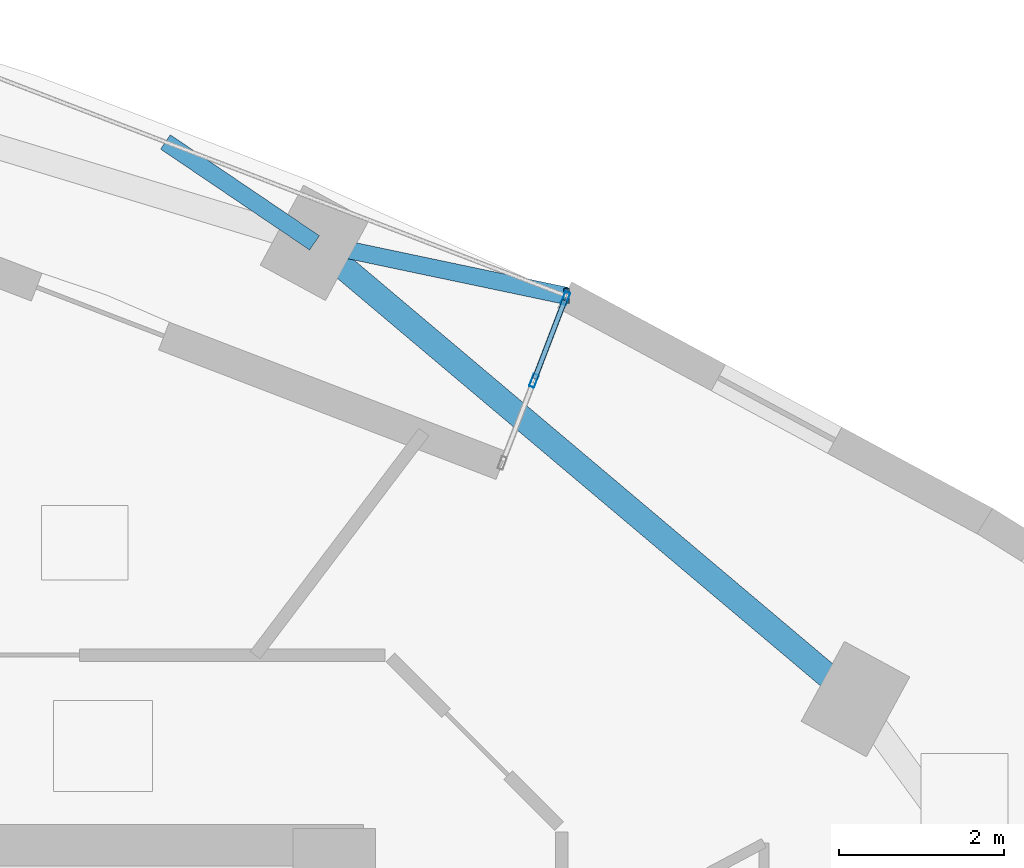
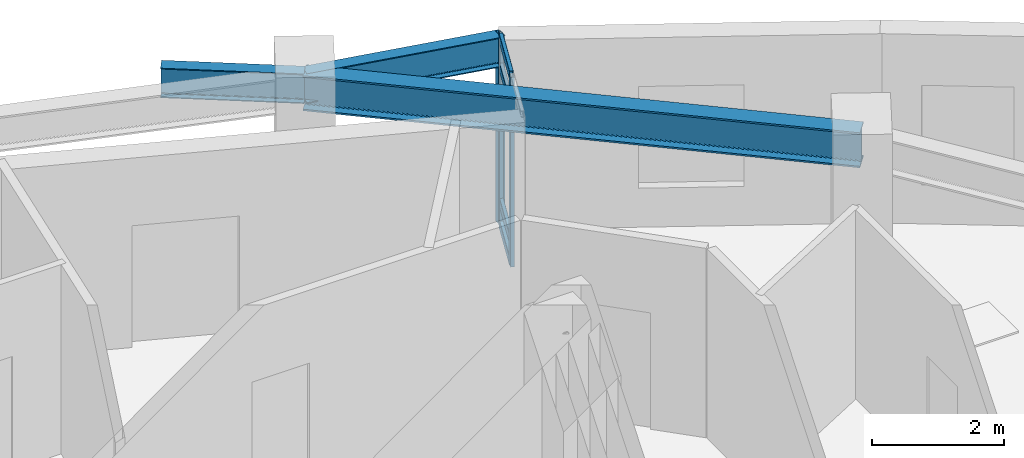
# One storey, part 3 of 13: 7 members, 3 beams, 1 element without a shape of its own.
"""IFC4 building model written with IfcOpenShell, lengths in metres."""

from ifc_helpers import new_model, si_unit, direction, frame, origin, origin_2d, place, context, subcontext, project, spatial, hollow_rectangle, i_section, extrude, material, layer, layer_set, material_profile, profile_set, type_object, element, aggregate, save


model = new_model("IFC4")

# Units and contexts
model_context = context("Model", 3, precision=1e-05, world=origin(), true_north=direction((0.0, 1.0)))
body_context = subcontext(model_context, "Body", "Model", "MODEL_VIEW")
ifc_project = project(units=[si_unit("LENGTHUNIT", "METRE"), si_unit("AREAUNIT", "SQUARE_METRE"), si_unit("VOLUMEUNIT", "CUBIC_METRE"), si_unit("PLANEANGLEUNIT", "RADIAN"), si_unit("MASSUNIT", "GRAM", prefix="KILO")], contexts=[model_context])

# Site, building, storey
site_placement = place(None, origin())
site = spatial("IfcSite", under=ifc_project, at=site_placement, CompositionType="ELEMENT")
building_placement = place(site_placement, origin())
building = spatial("IfcBuilding", under=site, at=building_placement, Name="Ndelora Gate Hotel", CompositionType="ELEMENT")
storey_placement = place(building_placement, frame((0.0, 0.0, 157.25)))
storey = spatial("IfcBuildingStorey", under=building, at=storey_placement, Name="L39", CompositionType="ELEMENT", Elevation=157.25)

# Beams
ifc_material_1 = material(Name="Steel S355", Category="steel")
ifc_material_profile_1 = material_profile(ifc_material_1, i_section(OverallWidth=0.2099609375, OverallDepth=0.550048828125, WebThickness=0.010986328125, FlangeThickness=0.01708984375, FilletRadius=0.02392578125, at=origin_2d()), Name="IPE 550")
ifc_profile_set_1 = profile_set([ifc_material_profile_1], Name="Steel S355")
beam_type_1 = type_object("IfcBeamType", Name="BM-RAD-550", PredefinedType="BEAM", material=ifc_profile_set_1)
beam_1_placement = place(storey_placement, frame((7.759033203125, 14.290283203125, 3.22509765625), z_axis=(0.978567234145, -0.20592758013, 0.0), x_axis=(0.20592758013, 0.978567234145, 0.0)))
element("IfcBeam", 1, at=beam_1_placement, inside=storey, type_object=beam_type_1, Name="L39 Sky-Garden Loggia Column Bracket 1", PredefinedType="BEAM", context=body_context, shape_type="SweptSolid", body=[
    extrude(i_section(OverallWidth=0.2099609375, OverallDepth=0.550048828125, WebThickness=0.010986328125, FlangeThickness=0.01708984375, FilletRadius=0.02392578125, at=origin_2d()), origin(), (0.0, 0.0, 1.0), 3.116943359375),
])
beam_2_placement = place(storey_placement, frame((7.759033203125, 14.290283203125, 3.22509765625), z_axis=(-0.828064662008, 0.560632602988, 0.0), x_axis=(-0.560632602988, -0.828064662008, 0.0)))
element("IfcBeam", 2, at=beam_2_placement, inside=storey, type_object=beam_type_1, Name="L39 Sky-Garden Loggia Column Bracket 2", PredefinedType="BEAM", context=body_context, shape_type="SweptSolid", body=[
    extrude(i_section(OverallWidth=0.2099609375, OverallDepth=0.550048828125, WebThickness=0.010986328125, FlangeThickness=0.01708984375, FilletRadius=0.02392578125, at=origin_2d()), origin(), (0.0, 0.0, 1.0), 2.17919921875),
])
ifc_material_profile_2 = material_profile(ifc_material_1, i_section(OverallWidth=0.300048828125, OverallDepth=0.64990234375, WebThickness=0.01611328125, FlangeThickness=0.031005859375, FilletRadius=0.027099609375, at=origin_2d()), Name="HEB 650")
ifc_profile_set_2 = profile_set([ifc_material_profile_2], Name="Steel S355")
beam_type_2 = type_object("IfcBeamType", Name="BM-RING-650", PredefinedType="SPANDREL", material=ifc_profile_set_2)
beam_3_placement = place(storey_placement, frame((14.30712890625, 8.767333984375, 3.175048828125), z_axis=(-0.76440691948, 0.644734101356, 0.0), x_axis=(-0.644734101356, -0.76440691948, 0.0)))
element("IfcBeam", 3, at=beam_3_placement, inside=storey, type_object=beam_type_2, Name="L39 Perimeter Spandrel Girder 10", PredefinedType="SPANDREL", context=body_context, shape_type="SweptSolid", body=[
    extrude(i_section(OverallWidth=0.300048828125, OverallDepth=0.64990234375, WebThickness=0.01611328125, FlangeThickness=0.031005859375, FilletRadius=0.027099609375, at=origin_2d()), origin(), (0.0, 0.0, 1.0), 8.566162109375),
])

# Curtain wall, members
ifc_material_2 = material(Name="Bronze Anodised Unitised Aluminium and Low-E Glass", Category="aluminium")
ifc_layer = layer(ifc_material_2, 0.199951171875)
ifc_layer_set = layer_set([ifc_layer], Name="Bronze Anodised Unitised Aluminium and Low-E Glass")
curtain_wall_type = type_object("IfcCurtainWallType", Name="CW-SYS-3", PredefinedType="NOTDEFINED", material=ifc_layer_set)
curtain_wall_placement = place(storey_placement, origin())
curtain_wall = element("IfcCurtainWall", 4, at=curtain_wall_placement, inside=storey, type_object=curtain_wall_type, Name="L39 Sky-Garden Loggia Side Curtain Wall CW3-1", PredefinedType="NOTDEFINED")
ifc_material_3 = material(Name="Bronze Anodised Aluminium 6063-T6", Category="aluminium")
ifc_material_profile_3 = material_profile(ifc_material_3, hollow_rectangle(XDim=0.06494140625, YDim=0.159912109375, WallThickness=0.00390625, InnerFilletRadius=0.00390625, OuterFilletRadius=0.008056640625, at=origin_2d()), Name="ALU 160x65x4")
ifc_profile_set_3 = profile_set([ifc_material_profile_3], Name="Bronze Anodised Aluminium 6063-T6")
member_type_1 = type_object("IfcMemberType", Name="MB-CW-MUL150", PredefinedType="MULLION", material=ifc_profile_set_3)
member_1_placement = place(storey_placement, frame((10.414794921875, 12.62158203125, -0.00390625), z_axis=(0.0, 0.0, 1.0), x_axis=(-0.93358321574, 0.358360683234, 0.0)))
member_1 = element("IfcMember", 5, at=member_1_placement, type_object=member_type_1, Name="CW3 mullion 2", PredefinedType="MULLION", context=body_context, shape_type="SweptSolid", body=[
    extrude(hollow_rectangle(XDim=0.06494140625, YDim=0.159912109375, WallThickness=0.00390625, InnerFilletRadius=0.00390625, OuterFilletRadius=0.008056640625, at=origin_2d()), origin(), (0.0, 0.0, 1.0), 3.5078125),
])
member_2_placement = place(storey_placement, frame((10.79736328125, 13.6181640625, -0.00390625), z_axis=(0.0, 0.0, 1.0), x_axis=(-0.93358321574, 0.358360683234, 0.0)))
member_2 = element("IfcMember", 6, at=member_2_placement, type_object=member_type_1, Name="CW3 mullion 3", PredefinedType="MULLION", context=body_context, shape_type="SweptSolid", body=[
    extrude(hollow_rectangle(XDim=0.06494140625, YDim=0.159912109375, WallThickness=0.00390625, InnerFilletRadius=0.00390625, OuterFilletRadius=0.008056640625, at=origin_2d()), origin(), (0.0, 0.0, 1.0), 3.5078125),
])
ifc_material_profile_4 = material_profile(ifc_material_3, hollow_rectangle(XDim=0.070068359375, YDim=0.179931640625, WallThickness=0.0048828125, InnerFilletRadius=0.0048828125, OuterFilletRadius=0.010009765625, at=origin_2d()), Name="ALU 180x70x5")
ifc_profile_set_4 = profile_set([ifc_material_profile_4], Name="Bronze Anodised Aluminium 6063-T6")
member_type_2 = type_object("IfcMemberType", Name="MB-CW-MUL180", PredefinedType="MULLION", material=ifc_profile_set_4)
member_3_placement = place(storey_placement, frame((10.80908203125, 13.6484375, 0.0), z_axis=(0.0, 0.0, 1.0), x_axis=(1.0, 0.0, 0.0)))
member_3 = element("IfcMember", 7, at=member_3_placement, type_object=member_type_2, Name="L39 Sky-Garden Loggia Corner Mullion Post 1", PredefinedType="MULLION", context=body_context, shape_type="SweptSolid", body=[
    extrude(hollow_rectangle(XDim=0.070068359375, YDim=0.179931640625, WallThickness=0.0048828125, InnerFilletRadius=0.0048828125, OuterFilletRadius=0.010009765625, at=origin_2d()), origin(), (0.0, 0.0, 1.0), 3.5),
])
ifc_material_profile_5 = material_profile(ifc_material_3, hollow_rectangle(XDim=0.06494140625, YDim=0.159912109375, WallThickness=0.00390625, InnerFilletRadius=0.00390625, OuterFilletRadius=0.008056640625, at=origin_2d()), Name="ALU 160x65x4")
ifc_profile_set_5 = profile_set([ifc_material_profile_5], Name="Bronze Anodised Aluminium 6063-T6")
member_type_3 = type_object("IfcMemberType", Name="MB-CW-TRN150", PredefinedType="USERDEFINED", material=ifc_profile_set_5)
member_4_placement = place(storey_placement, frame((10.42431640625, 12.646240234375, 0.032470703125), z_axis=(0.358285642609, 0.933612017007, 0.0), x_axis=(-0.933612017007, 0.358285642609, 0.0)))
member_4 = element("IfcMember", 8, at=member_4_placement, type_object=member_type_3, Name="CW3 transom 2.1", ObjectType="TRANSOM", PredefinedType="USERDEFINED", context=body_context, shape_type="SweptSolid", body=[
    extrude(hollow_rectangle(XDim=0.06494140625, YDim=0.159912109375, WallThickness=0.00390625, InnerFilletRadius=0.00390625, OuterFilletRadius=0.008056640625, at=origin_2d()), origin(), (0.0, 0.0, 1.0), 1.0146484375),
])
member_5_placement = place(storey_placement, frame((10.42431640625, 12.646240234375, 0.449951171875), z_axis=(0.358285642609, 0.933612017007, 0.0), x_axis=(-0.933612017007, 0.358285642609, 0.0)))
member_5 = element("IfcMember", 9, at=member_5_placement, type_object=member_type_3, Name="CW3 transom 2.2", ObjectType="TRANSOM", PredefinedType="USERDEFINED", context=body_context, shape_type="SweptSolid", body=[
    extrude(hollow_rectangle(XDim=0.06494140625, YDim=0.159912109375, WallThickness=0.00390625, InnerFilletRadius=0.00390625, OuterFilletRadius=0.008056640625, at=origin_2d()), origin(), (0.0, 0.0, 1.0), 1.0146484375),
])
member_6_placement = place(storey_placement, frame((10.42431640625, 12.646240234375, 2.949951171875), z_axis=(0.358285642609, 0.933612017007, 0.0), x_axis=(-0.933612017007, 0.358285642609, 0.0)))
member_6 = element("IfcMember", 10, at=member_6_placement, type_object=member_type_3, Name="CW3 transom 2.3", ObjectType="TRANSOM", PredefinedType="USERDEFINED", context=body_context, shape_type="SweptSolid", body=[
    extrude(hollow_rectangle(XDim=0.06494140625, YDim=0.159912109375, WallThickness=0.00390625, InnerFilletRadius=0.00390625, OuterFilletRadius=0.008056640625, at=origin_2d()), origin(), (0.0, 0.0, 1.0), 1.0146484375),
])
member_7_placement = place(storey_placement, frame((10.42431640625, 12.646240234375, 3.467529296875), z_axis=(0.358285642609, 0.933612017007, 0.0), x_axis=(-0.933612017007, 0.358285642609, 0.0)))
member_7 = element("IfcMember", 11, at=member_7_placement, type_object=member_type_3, Name="CW3 transom 2.4", ObjectType="TRANSOM", PredefinedType="USERDEFINED", context=body_context, shape_type="SweptSolid", body=[
    extrude(hollow_rectangle(XDim=0.06494140625, YDim=0.159912109375, WallThickness=0.00390625, InnerFilletRadius=0.00390625, OuterFilletRadius=0.008056640625, at=origin_2d()), origin(), (0.0, 0.0, 1.0), 1.0146484375),
])
aggregate(curtain_wall, [member_1, member_2, member_4, member_5, member_6, member_7, member_3])

save(model, "model.ifc")
